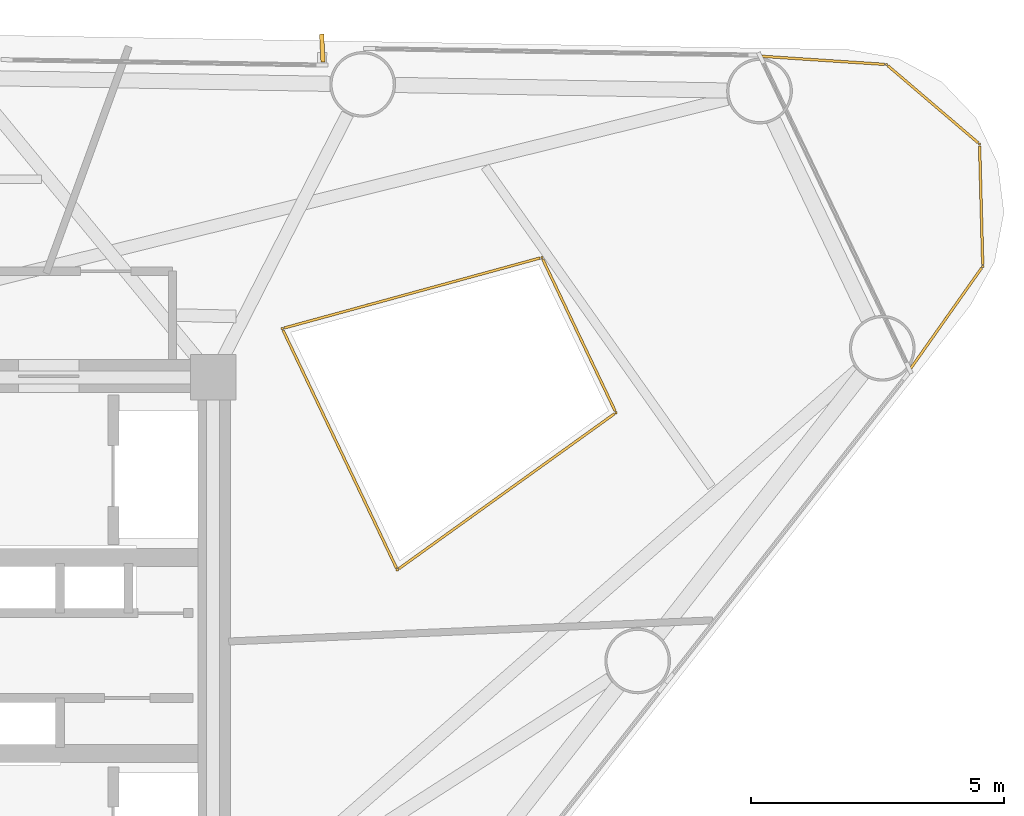
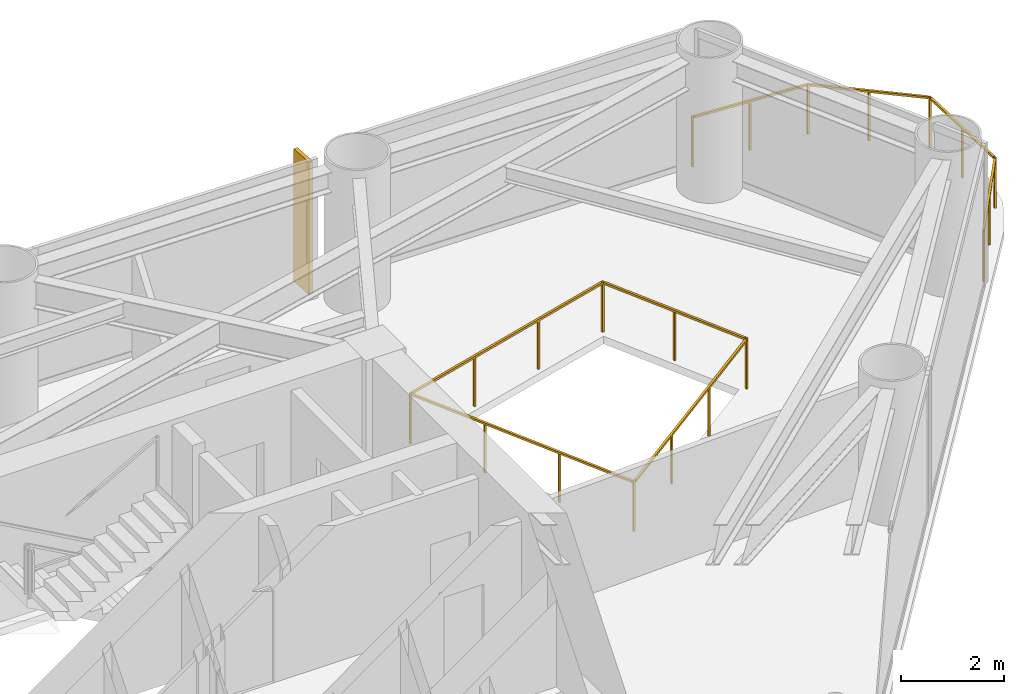
# One storey, part 10 of 10: 2 railings, 1 shading device.
"""IFC4 building model written with IfcOpenShell, lengths in metres."""

from ifc_helpers import new_model, si_unit, direction, frame, origin, origin_2d, place, context, subcontext, project, spatial, rectangle, extrude, source, transform, mapped, material, material_profile, profile_set, type_object, element, save


model = new_model("IFC4")

# Units and contexts
model_context = context("Model", 3, precision=1e-05, world=origin(), true_north=direction((0.0, 1.0)))
body_context = subcontext(model_context, "Body", "Model", "MODEL_VIEW")
ifc_project = project(units=[si_unit("LENGTHUNIT", "METRE"), si_unit("AREAUNIT", "SQUARE_METRE"), si_unit("VOLUMEUNIT", "CUBIC_METRE"), si_unit("PLANEANGLEUNIT", "RADIAN"), si_unit("MASSUNIT", "GRAM", prefix="KILO")], contexts=[model_context])

# Site, building, storey
site_placement = place(None, origin())
site = spatial("IfcSite", under=ifc_project, at=site_placement, CompositionType="ELEMENT")
building_placement = place(site_placement, origin())
building = spatial("IfcBuilding", under=site, at=building_placement, Name="Yunling Apex Tower", CompositionType="ELEMENT")
storey_placement = place(building_placement, frame((0.0, 0.0, 143.300048828125)))
storey = spatial("IfcBuildingStorey", under=building, at=storey_placement, Name="L35", CompositionType="ELEMENT", Elevation=143.300048828125)

# Railings
ifc_material = material(Name="Bronze anodised aluminium", Category="aluminium")
railing_type = type_object("IfcRailingType", Name="RL-BAL-1200", PredefinedType="BALUSTRADE", material=ifc_material)
railing_1_placement = place(storey_placement, frame((16.8701171875, 11.853515625, 0.0)))
element("IfcRailing", 1, at=railing_1_placement, inside=storey, type_object=railing_type, Name="RL-CRNSILL-L35-1", PredefinedType="BALUSTRADE", context=body_context, shape_type="SweptSolid", body=[
    extrude(rectangle(XDim=0.0439453125, YDim=0.0439453125, at=origin_2d()), origin(), (0.0, 0.0, 1.0), 1.199951171875),
    extrude(rectangle(XDim=0.0439453125, YDim=0.0439453125, at=origin_2d()), frame((2.498779296875, -0.164794921875, 0.0)), (0.0, 0.0, 1.0), 1.199951171875),
    extrude(rectangle(XDim=0.050048828125, YDim=0.050048828125, at=origin_2d()), frame((0.038330078125, -0.00244140625, 1.1748046875), z_axis=(0.99783235592, -0.065807214484, 0.0), x_axis=(0.065807214484, 0.99783235592, 0.0)), (0.0, 0.0, 1.0), 2.427490234375),
    extrude(rectangle(XDim=0.0439453125, YDim=0.0439453125, at=origin_2d()), frame((1.24951171875, -0.08251953125, 0.0)), (0.0, 0.0, 1.0), 1.14599609375),
    extrude(rectangle(XDim=0.0439453125, YDim=0.0439453125, at=origin_2d()), frame((4.339599609375, -1.737060546875, 0.0)), (0.0, 0.0, 1.0), 1.199951171875),
    extrude(rectangle(XDim=0.050048828125, YDim=0.050048828125, at=origin_2d()), frame((2.52783203125, -0.189697265625, 1.1748046875), z_axis=(0.760394429478, -0.649461555151, 0.0), x_axis=(0.649461555151, 0.760394429478, 0.0)), (0.0, 0.0, 1.0), 2.34423828125),
    extrude(rectangle(XDim=0.0439453125, YDim=0.0439453125, at=origin_2d()), frame((3.419189453125, -0.950927734375, 0.0)), (0.0, 0.0, 1.0), 1.14599609375),
    extrude(rectangle(XDim=0.0439453125, YDim=0.0439453125, at=origin_2d()), frame((4.403076171875, -4.156982421875, 0.0)), (0.0, 0.0, 1.0), 1.199951171875),
    extrude(rectangle(XDim=0.050048828125, YDim=0.050048828125, at=origin_2d()), frame((4.340576171875, -1.775390625, 1.1748046875), z_axis=(0.026221811823, -0.999656149176, 0.0), x_axis=(0.999656149176, 0.026221811823, 0.0)), (0.0, 0.0, 1.0), 2.343994140625),
    extrude(rectangle(XDim=0.0439453125, YDim=0.0439453125, at=origin_2d()), frame((4.371337890625, -2.947021484375, 0.0)), (0.0, 0.0, 1.0), 1.14599609375),
    extrude(rectangle(XDim=0.0439453125, YDim=0.0439453125, at=origin_2d()), frame((2.95849609375, -6.20263671875, 0.0)), (0.0, 0.0, 1.0), 1.199951171875),
    extrude(rectangle(XDim=0.050048828125, YDim=0.050048828125, at=origin_2d()), frame((4.380859375, -4.188232421875, 1.1748046875), z_axis=(-0.576840114355, -0.816857075914, 0.0), x_axis=(0.816857075914, -0.576840114355, 0.0)), (0.0, 0.0, 1.0), 2.427734375),
    extrude(rectangle(XDim=0.0439453125, YDim=0.0439453125, at=origin_2d()), frame((3.6806640625, -5.1796875, 0.0)), (0.0, 0.0, 1.0), 1.14599609375),
])
railing_2_placement = place(storey_placement, frame((7.41845703125, 6.46728515625, 0.0)))
element("IfcRailing", 2, at=railing_2_placement, inside=storey, type_object=railing_type, Name="RL-TATR-L35", PredefinedType="BALUSTRADE", context=body_context, shape_type="SweptSolid", body=[
    extrude(rectangle(XDim=0.0439453125, YDim=0.0439453125, at=origin_2d()), origin(), (0.0, 0.0, 1.0), 1.199951171875),
    extrude(rectangle(XDim=0.0439453125, YDim=0.0439453125, at=origin_2d()), frame((5.135498046875, 1.404541015625, 0.0)), (0.0, 0.0, 1.0), 1.199951171875),
    extrude(rectangle(XDim=0.050048828125, YDim=0.050048828125, at=origin_2d()), frame((0.036865234375, 0.010009765625, 1.1748046875), z_axis=(0.964575212807, 0.263807996162, 0.0), x_axis=(-0.263807996162, 0.964575212807, 0.0)), (0.0, 0.0, 1.0), 5.24755859375),
    extrude(rectangle(XDim=0.0439453125, YDim=0.0439453125, at=origin_2d()), frame((1.7119140625, 0.46826171875, 0.0)), (0.0, 0.0, 1.0), 1.14599609375),
    extrude(rectangle(XDim=0.0439453125, YDim=0.0439453125, at=origin_2d()), frame((3.423583984375, 0.936279296875, 0.0)), (0.0, 0.0, 1.0), 1.14599609375),
    extrude(rectangle(XDim=0.0439453125, YDim=0.0439453125, at=origin_2d()), frame((6.599609375, -1.664794921875, 0.0)), (0.0, 0.0, 1.0), 1.199951171875),
    extrude(rectangle(XDim=0.050048828125, YDim=0.050048828125, at=origin_2d()), frame((5.152099609375, 1.369873046875, 1.1748046875), z_axis=(0.430538211034, -0.902572351028, 0.0), x_axis=(0.902572351028, 0.430538211034, 0.0)), (0.0, 0.0, 1.0), 3.323974609375),
    extrude(rectangle(XDim=0.0439453125, YDim=0.0439453125, at=origin_2d()), frame((5.86767578125, -0.130126953125, 0.0)), (0.0, 0.0, 1.0), 1.14599609375),
    extrude(rectangle(XDim=0.0439453125, YDim=0.0439453125, at=origin_2d()), frame((2.276123046875, -4.77197265625, 0.0)), (0.0, 0.0, 1.0), 1.199951171875),
    extrude(rectangle(XDim=0.050048828125, YDim=0.050048828125, at=origin_2d()), frame((6.568603515625, -1.687255859375, 1.1748046875), z_axis=(-0.812044572196, -0.583595418733, 0.0), x_axis=(0.583595418733, -0.812044572196, 0.0)), (0.0, 0.0, 1.0), 5.24755859375),
    extrude(rectangle(XDim=0.0439453125, YDim=0.0439453125, at=origin_2d()), frame((5.158447265625, -2.700439453125, 0.0)), (0.0, 0.0, 1.0), 1.14599609375),
    extrude(rectangle(XDim=0.0439453125, YDim=0.0439453125, at=origin_2d()), frame((3.71728515625, -3.736328125, 0.0)), (0.0, 0.0, 1.0), 1.14599609375),
    extrude(rectangle(XDim=0.050048828125, YDim=0.050048828125, at=origin_2d()), frame((2.259521484375, -4.7373046875, 1.1748046875), z_axis=(-0.430512460038, 0.902584634121, 0.0), x_axis=(-0.902584634121, -0.430512460038, 0.0)), (0.0, 0.0, 1.0), 5.21044921875),
    extrude(rectangle(XDim=0.0439453125, YDim=0.0439453125, at=origin_2d()), frame((1.517333984375, -3.181396484375, 0.0)), (0.0, 0.0, 1.0), 1.14599609375),
    extrude(rectangle(XDim=0.0439453125, YDim=0.0439453125, at=origin_2d()), frame((0.7587890625, -1.590576171875, 0.0)), (0.0, 0.0, 1.0), 1.14599609375),
])

# Shading device
ifc_material_profile = material_profile(ifc_material, rectangle(XDim=0.0849609375, YDim=0.550048828125, at=origin_2d()))
ifc_profile_set = profile_set([ifc_material_profile], Name="Bronze anodised aluminium")
shading_device_type = type_object("IfcShadingDeviceType", Name="FN-BRZ-3", PredefinedType="USERDEFINED", material=ifc_profile_set)
shared_shape = source(origin(), body_context, "Body", "SweptSolid", [
    extrude(rectangle(XDim=0.0849609375, YDim=0.550048828125, at=origin_2d()), origin(), (0.0, 0.0, 1.0), 3.14990234375),
])
shading_device_placement = place(storey_placement, frame((8.21142578125, 12.013671875, 0.06005859375), z_axis=(0.0, 0.0, 1.0), x_axis=(-0.998814648022, -0.048675444496, 0.0)))
element("IfcShadingDevice", 3, at=shading_device_placement, inside=storey, type_object=shading_device_type, Name="CW-L35-F2-B2-FIN-01", ObjectType="FIN", PredefinedType="USERDEFINED", context=body_context, shape_type="MappedRepresentation", body=[
    mapped(shared_shape, transform((0.0, 0.0, 0.0), scale=1.0)),
])

save(model, "model.ifc")
